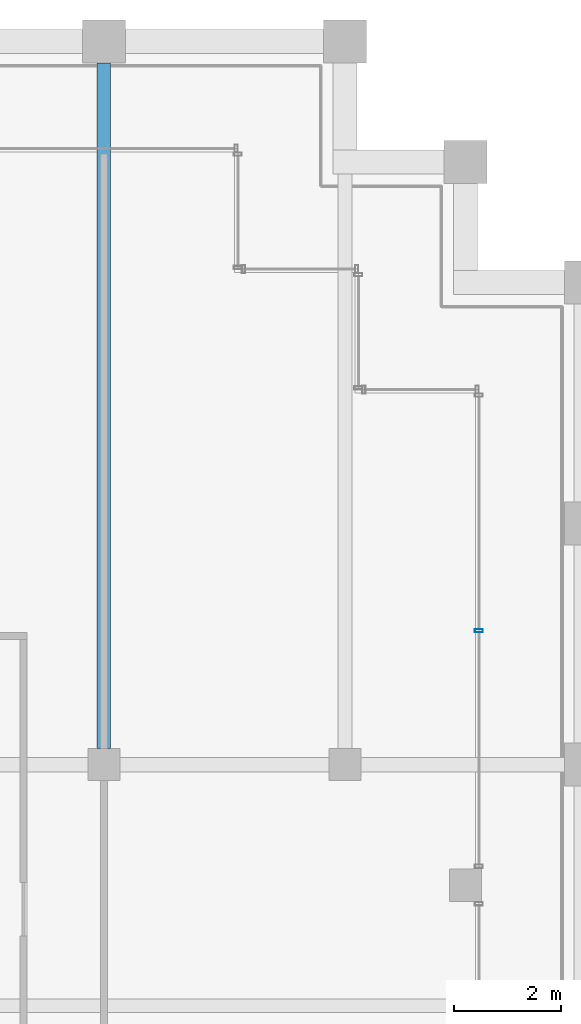
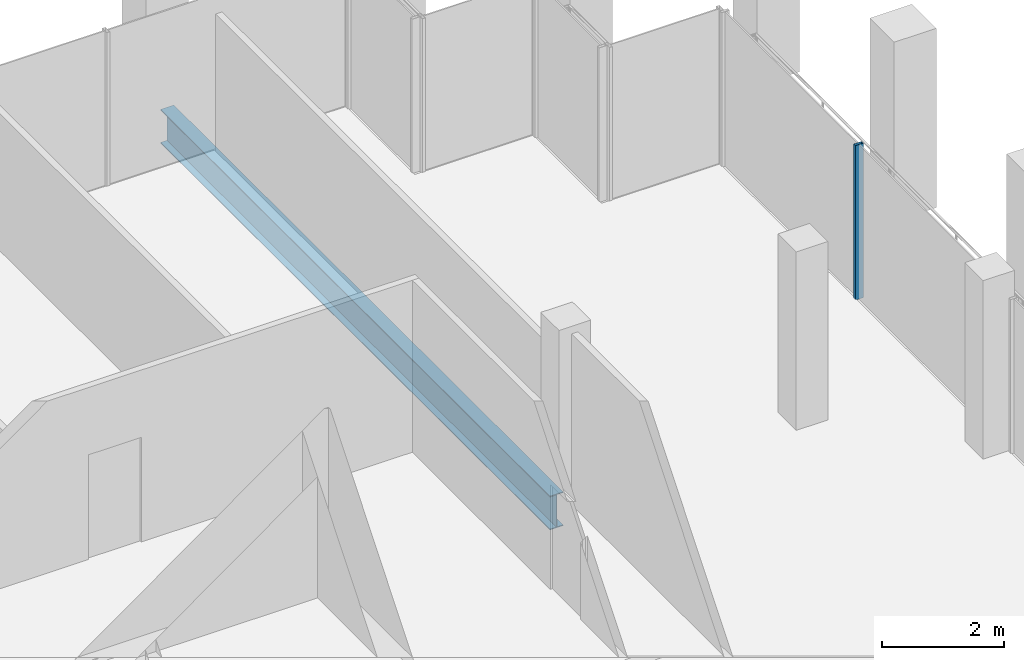
# One storey, part 24 of 40: 1 beam, 1 member, 1 element without a shape of its own.
"""IFC4 building model written with IfcOpenShell, lengths in metres."""

from ifc_helpers import new_model, si_unit, direction, frame, origin, origin_2d, place, context, subcontext, project, spatial, hollow_rectangle, i_section, extrude, material, material_profile, profile_set, type_object, element, aggregate, save


model = new_model("IFC4")

# Units and contexts
model_context = context("Model", 3, precision=1e-05, world=origin(), true_north=direction((0.0, 1.0)))
body_context = subcontext(model_context, "Body", "Model", "MODEL_VIEW")
ifc_project = project(units=[si_unit("LENGTHUNIT", "METRE"), si_unit("AREAUNIT", "SQUARE_METRE"), si_unit("VOLUMEUNIT", "CUBIC_METRE"), si_unit("PLANEANGLEUNIT", "RADIAN"), si_unit("MASSUNIT", "GRAM", prefix="KILO")], contexts=[model_context])

# Site, building, storey
site_placement = place(None, origin())
site = spatial("IfcSite", under=ifc_project, at=site_placement, CompositionType="ELEMENT")
building_placement = place(site_placement, origin())
building = spatial("IfcBuilding", under=site, at=building_placement, Name="Altepetl Exchange Towers", CompositionType="ELEMENT")
storey_placement = place(building_placement, frame((0.0, 0.0, 202.800048828125)))
storey = spatial("IfcBuildingStorey", under=building, at=storey_placement, Name="L51", CompositionType="ELEMENT", Elevation=202.800048828125)

# Beam
ifc_material_1 = material(Name="Steel S355", Category="steel")
ifc_material_profile_1 = material_profile(ifc_material_1, i_section(OverallWidth=0.2529296875, OverallDepth=0.677978515625, WebThickness=0.01171875, FlangeThickness=0.016357421875, at=origin_2d()), Name="W27X84")
ifc_profile_set_1 = profile_set([ifc_material_profile_1], Name="Steel S355")
beam_type = type_object("IfcBeamType", Name="Floor beam W27X84", PredefinedType="BEAM", material=ifc_profile_set_1)
beam_placement = place(storey_placement, frame((63.0, 58.800048828125, -0.489013671875), z_axis=(0.0, 1.0, 0.0), x_axis=(-1.0, 0.0, 0.0)))
element("IfcBeam", 1, at=beam_placement, inside=storey, type_object=beam_type, Name="bm:A:L51:004", PredefinedType="BEAM", context=body_context, shape_type="SweptSolid", body=[
    extrude(i_section(OverallWidth=0.2529296875, OverallDepth=0.677978515625, WebThickness=0.01171875, FlangeThickness=0.016357421875, at=origin_2d()), origin(), (0.0, 0.0, 1.0), 12.800048828125),
])

# Curtain wall, member
ifc_material_2 = material(Name="Aluminium 6063-T6 glazing", Category="aluminium")
curtain_wall_type = type_object("IfcCurtainWallType", Name="Loggia glazing system", PredefinedType="NOTDEFINED", material=ifc_material_2)
curtain_wall_placement = place(storey_placement, origin())
curtain_wall = element("IfcCurtainWall", 2, at=curtain_wall_placement, inside=storey, type_object=curtain_wall_type, Name="CW1 run", PredefinedType="NOTDEFINED")
ifc_material_3 = material(Name="Aluminium 6063-T6", Category="aluminium")
ifc_material_profile_2 = material_profile(ifc_material_3, hollow_rectangle(XDim=0.06005859375, YDim=0.14990234375, WallThickness=0.0029296875, at=origin_2d()), Name="Mullion 60x150 aluminium")
ifc_profile_set_2 = profile_set([ifc_material_profile_2], Name="Aluminium 6063-T6")
member_type = type_object("IfcMemberType", Name="Mullion 60x150 aluminium", PredefinedType="MULLION", material=ifc_profile_set_2)
member_placement = place(storey_placement, frame((70.0, 60.99755859375, 0.0), z_axis=(0.0, 0.0, 1.0), x_axis=(0.0, 1.0, 0.0)))
member = element("IfcMember", 3, at=member_placement, type_object=member_type, Name="MU1 mullion", PredefinedType="MULLION", context=body_context, shape_type="SweptSolid", body=[
    extrude(hollow_rectangle(XDim=0.06005859375, YDim=0.14990234375, WallThickness=0.0029296875, at=origin_2d()), origin(), (0.0, 0.0, 1.0), 3.099853515625),
])
aggregate(curtain_wall, [member])

save(model, "model.ifc")
